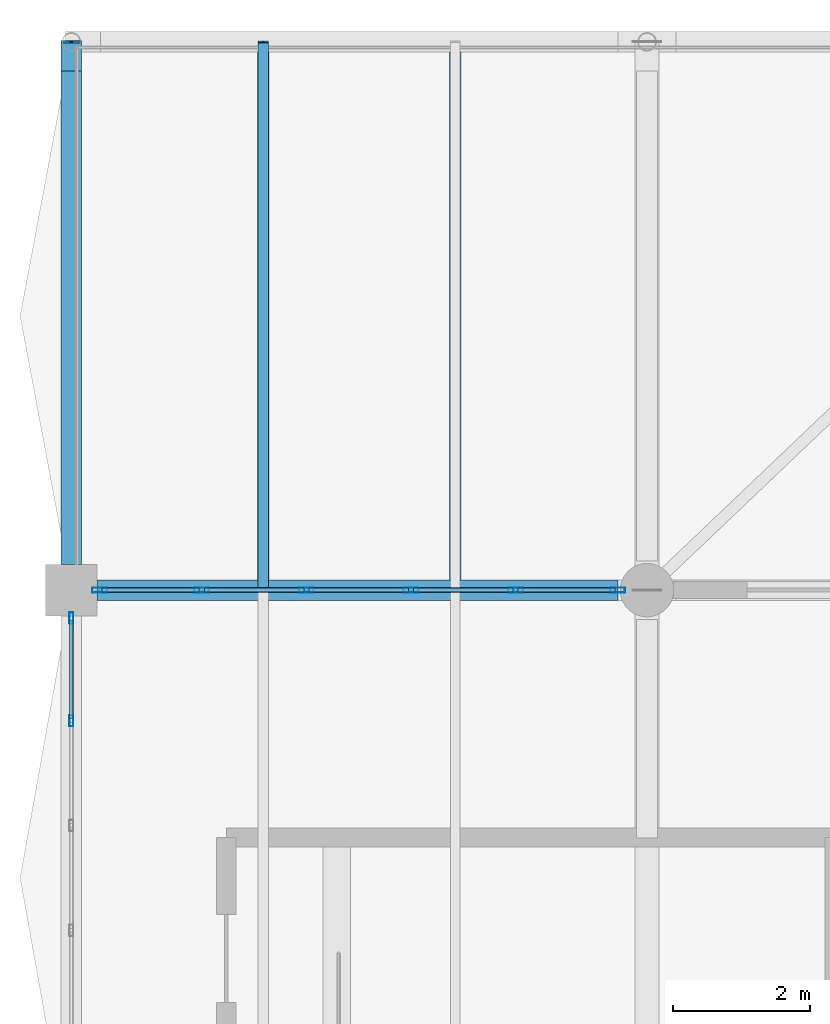
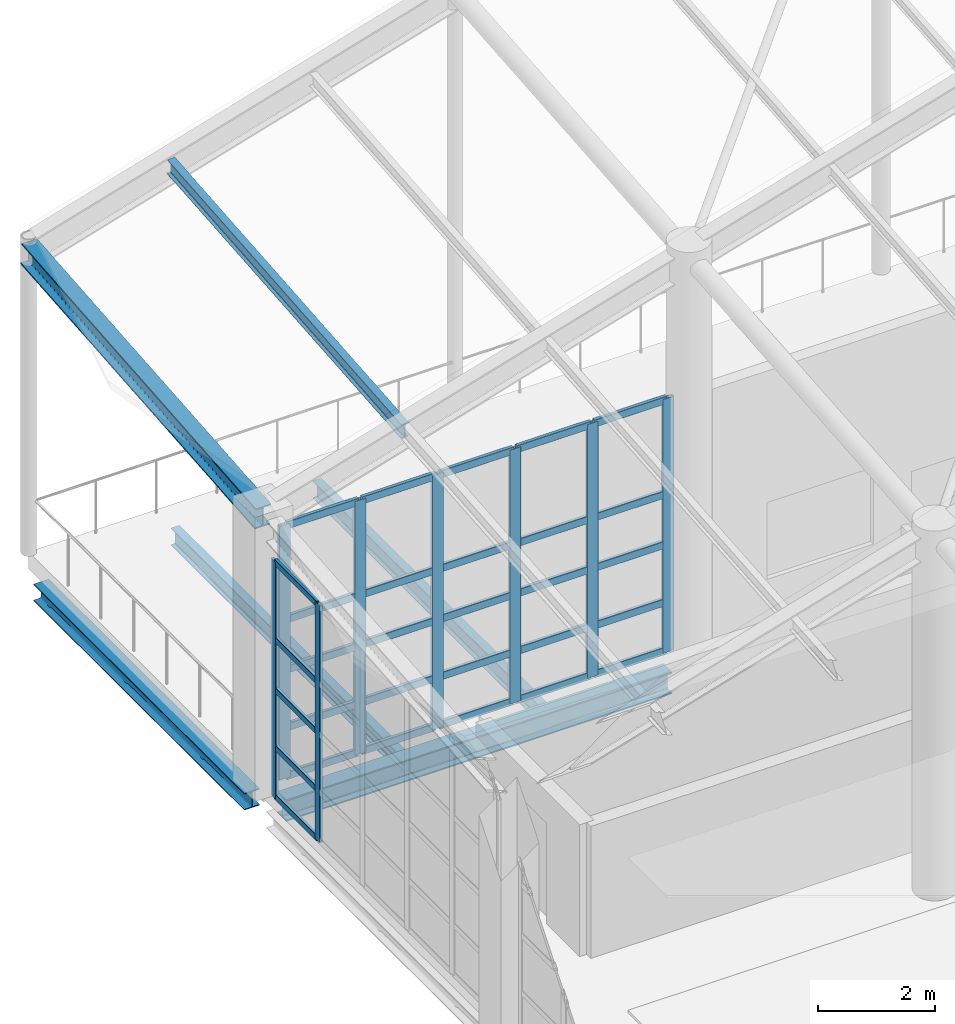
# One storey, part 45 of 95: 40 members, 4 beams, 2 elements without a shape of their own.
"""IFC4 building model written with IfcOpenShell, lengths in metres."""

import ifcopenshell
import ifcopenshell.guid

model = None  # the IFC model being written
_history = None  # IfcOwnerHistory: only IFC2X3 demands one
_inside = {}  # id of a spatial element -> (the spatial element, [elements in it])
_under = {}  # id of a project, library or spatial element -> (it, [spatial elements below it])
_declared = {}  # id of a project -> (the project, [libraries it declares])
_typed = {}  # id of a type object -> (the type object, [elements of that type])
_made_of = {}  # id of a material, layer set ... -> (it, [elements and type objects made of it])


def new_model(schema):
    """Start an empty IFC model of exactly this schema.

    Asked for "IFC4X3", IfcOpenShell would pick the latest addendum, in which some entities
    have other attributes; the version numbers below select the first issue.
    IFC2X3 requires an IfcOwnerHistory on every rooted entity: one is made here for all.
    """
    global model, _history
    if schema == "IFC4X3":
        model = ifcopenshell.file(schema_version=(4, 3, 0, 0))
    else:
        model = ifcopenshell.file(schema=schema)
    _inside.clear()
    _under.clear()
    _declared.clear()
    _typed.clear()
    _made_of.clear()
    _history = None
    if model.schema == "IFC2X3":
        org = make("IfcOrganization", Name="unknown")
        user = make(
            "IfcPersonAndOrganization",
            ThePerson=make("IfcPerson", FamilyName="unknown"),
            TheOrganization=org,
        )
        app = make(
            "IfcApplication",
            ApplicationDeveloper=org,
            Version="unknown",
            ApplicationFullName="unknown",
            ApplicationIdentifier="unknown",
        )
        _history = make(
            "IfcOwnerHistory",
            OwningUser=user,
            OwningApplication=app,
            ChangeAction="ADDED",
            CreationDate=0,
        )
    return model


def make(cls, **values):
    """One entity of the class cls with the attributes given. An attribute that is None is left unset."""
    return model.create_entity(
        cls, **{name: value for name, value in values.items() if value is not None}
    )


def rooted(cls, **values):
    """An entity with a GlobalId (a new one), such as an element, a storey or a relation."""
    return make(cls, GlobalId=ifcopenshell.guid.new(), OwnerHistory=_history, **values)


def si_unit(unit_type, name, prefix=None):
    """IfcSIUnit, for example si_unit("LENGTHUNIT", "METRE", prefix="MILLI")."""
    return make("IfcSIUnit", UnitType=unit_type, Prefix=prefix, Name=name)


def assignment(units):
    """IfcUnitAssignment: the units of a project."""
    return None if units is None else make("IfcUnitAssignment", Units=units)


def point(xyz):
    """IfcCartesianPoint."""
    return None if xyz is None else make("IfcCartesianPoint", Coordinates=xyz)


def direction(xyz):
    """IfcDirection."""
    return None if xyz is None else make("IfcDirection", DirectionRatios=xyz)


def frame(location, z_axis=None, x_axis=None):
    """IfcAxis2Placement3D, a coordinate frame: its origin and axes. An axis left out is left unset."""
    return make(
        "IfcAxis2Placement3D",
        Location=point(location),
        Axis=direction(z_axis),
        RefDirection=direction(x_axis),
    )


def frame_2d(location, x_axis=None):
    """IfcAxis2Placement2D, a coordinate frame in the plane: its origin and x axis."""
    return make(
        "IfcAxis2Placement2D", Location=point(location), RefDirection=direction(x_axis)
    )


def origin():
    """The frame at (0, 0, 0) with its axes left unset."""
    return frame((0.0, 0.0, 0.0))


def origin_2d():
    """The frame at (0, 0) in the plane with its x axis left unset."""
    return frame_2d((0.0, 0.0))


def place(relative_to, where):
    """IfcLocalPlacement: puts the frame where relative to a parent placement (None: the world)."""
    return make(
        "IfcLocalPlacement", PlacementRelTo=relative_to, RelativePlacement=where
    )


def context(
    kind, dimensions, precision=None, world=None, true_north=None, identifier=None
):
    """IfcGeometricRepresentationContext, for example the 3D "Model" context."""
    return make(
        "IfcGeometricRepresentationContext",
        ContextIdentifier=identifier,
        ContextType=kind,
        CoordinateSpaceDimension=dimensions,
        Precision=precision,
        WorldCoordinateSystem=world,
        TrueNorth=true_north,
    )


def subcontext(parent, identifier, kind, view, scale=None):
    """IfcGeometricRepresentationSubContext, for example "Body" below "Model"."""
    return make(
        "IfcGeometricRepresentationSubContext",
        ContextIdentifier=identifier,
        ContextType=kind,
        ParentContext=parent,
        TargetScale=scale,
        TargetView=view,
    )


def project(units=None, contexts=None):
    """IfcProject with its units and contexts."""
    return rooted(
        "IfcProject",
        Name="project",
        RepresentationContexts=contexts,
        UnitsInContext=assignment(units),
    )


def spatial(cls, under=None, at=None, **own):
    """A site, building, storey or space (cls), placed at a placement, below another one or the project."""
    s = rooted(cls, ObjectPlacement=at, **own)
    if under is not None:
        _under.setdefault(under.id(), (under, []))[1].append(s)
    return s


def profile(cls, at=None, kind="AREA", **sizes):
    """A parametric profile (cls). Its sizes go by their IFC names, for example OverallWidth=200.0."""
    return make(cls, ProfileType=kind, Position=at, **sizes)


def hollow_rectangle(**sizes):
    """IfcRectangleHollowProfileDef."""
    return profile("IfcRectangleHollowProfileDef", **sizes)


def i_section(**sizes):
    """IfcIShapeProfileDef."""
    return profile("IfcIShapeProfileDef", **sizes)


def extrude(swept, where, along, depth):
    """IfcExtrudedAreaSolid: the profile swept, set in the frame where, extruded along a direction by depth."""
    return make(
        "IfcExtrudedAreaSolid",
        SweptArea=swept,
        Position=where,
        ExtrudedDirection=direction(along),
        Depth=depth,
    )


def shape(context_of_items, identifier, shape_type, items):
    """IfcShapeRepresentation: the items that make up one representation, for example the "Body"."""
    return make(
        "IfcShapeRepresentation",
        ContextOfItems=context_of_items,
        RepresentationIdentifier=identifier,
        RepresentationType=shape_type,
        Items=items,
    )


def material(Name=None, Category=None):
    """IfcMaterial."""
    return make("IfcMaterial", Name=Name, Category=Category)


def layer(
    of_material, thickness, ventilated=None, Name=None, Category=None, Priority=None
):
    """IfcMaterialLayer: one layer of a wall or slab, of a material (None: an air gap)."""
    return make(
        "IfcMaterialLayer",
        Material=of_material,
        LayerThickness=thickness,
        IsVentilated=ventilated,
        Name=Name,
        Category=Category,
        Priority=Priority,
    )


def layer_set(layers, Name=None):
    """IfcMaterialLayerSet."""
    return make("IfcMaterialLayerSet", MaterialLayers=layers, LayerSetName=Name)


def material_profile(
    of_material, cross_section, Name=None, Category=None, Priority=None
):
    """IfcMaterialProfile: a cross section and its material."""
    return make(
        "IfcMaterialProfile",
        Name=Name,
        Material=of_material,
        Profile=cross_section,
        Priority=Priority,
        Category=Category,
    )


def profile_set(profiles, Name=None, composite=None):
    """IfcMaterialProfileSet."""
    return make(
        "IfcMaterialProfileSet",
        Name=Name,
        MaterialProfiles=profiles,
        CompositeProfile=composite,
    )


def made_of(thing, what):
    """Note that an element or type object is made of a material, layer set ...; save() writes the relation."""
    if what is not None:
        _made_of.setdefault(what.id(), (what, []))[1].append(thing)
    return thing


def type_object(cls, material=None, **own):
    """A type object (cls), such as IfcWallType, which elements share."""
    return made_of(rooted(cls, **own), material)


def element(
    cls,
    number,
    at=None,
    inside=None,
    cuts=None,
    type_object=None,
    material=None,
    context=None,
    identifier="Body",
    shape_type=None,
    held_by="IfcProductDefinitionShape",
    body=None,
    shapes=None,
    **own,
):
    """One element of the class cls, such as IfcWall. Its Tag is "e" and its number.

    at: its placement. inside: the storey or other place that contains it. cuts: it is an
    opening in that element (IfcRelVoidsElement). A single representation is given by context,
    identifier, shape_type and body (its items); several are given by shapes. held_by: the class
    of the entity that holds the representations. save() writes the other relations.
    """
    e = rooted(cls, Tag="e%d" % number, ObjectPlacement=at, **own)
    if body is not None:
        shapes = [shape(context, identifier, shape_type, body)]
    if shapes is not None:
        e.Representation = make(held_by, Representations=shapes)
    if inside is not None:
        _inside.setdefault(inside.id(), (inside, []))[1].append(e)
    if cuts is not None:
        rooted(
            "IfcRelVoidsElement", RelatingBuildingElement=cuts, RelatedOpeningElement=e
        )
    if type_object is not None:
        _typed.setdefault(type_object.id(), (type_object, []))[1].append(e)
    return made_of(e, material)


def aggregate(whole, parts):
    """IfcRelAggregates: a whole, such as a stair, and the parts it consists of."""
    return rooted("IfcRelAggregates", RelatingObject=whole, RelatedObjects=parts)


def save(model, path):
    """Write the relations noted so far, then the file.

    IfcRelAggregates (storeys below a building ...), IfcRelContainedInSpatialStructure (elements
    in a storey), IfcRelDefinesByType, IfcRelAssociatesMaterial and IfcRelDeclares: one each for
    every whole, place, type object, material and project.
    """
    for whole, parts in _under.values():
        aggregate(whole, parts)
    for where, things in _inside.values():
        rooted(
            "IfcRelContainedInSpatialStructure",
            RelatedElements=things,
            RelatingStructure=where,
        )
    for kind, things in _typed.values():
        rooted("IfcRelDefinesByType", RelatedObjects=things, RelatingType=kind)
    for what, things in _made_of.values():
        rooted("IfcRelAssociatesMaterial", RelatedObjects=things, RelatingMaterial=what)
    for by, libraries in _declared.values():
        rooted("IfcRelDeclares", RelatingContext=by, RelatedDefinitions=libraries)
    model.write(path)


model = new_model("IFC4")

# Units and contexts
model_context = context("Model", 3, precision=1e-05, world=origin(), true_north=direction((0.0, 1.0)))
body_context = subcontext(model_context, "Body", "Model", "MODEL_VIEW")
ifc_project = project(units=[si_unit("LENGTHUNIT", "METRE"), si_unit("AREAUNIT", "SQUARE_METRE"), si_unit("VOLUMEUNIT", "CUBIC_METRE"), si_unit("PLANEANGLEUNIT", "RADIAN"), si_unit("MASSUNIT", "GRAM", prefix="KILO"), si_unit("THERMODYNAMICTEMPERATUREUNIT", "KELVIN"), si_unit("POWERUNIT", "WATT")], contexts=[model_context])

# Site, building, storey
site_placement = place(None, origin())
site = spatial("IfcSite", under=ifc_project, at=site_placement, CompositionType="ELEMENT")
building_placement = place(site_placement, origin())
building = spatial("IfcBuilding", under=site, at=building_placement, Name="Mavoryth Pier Ferry Terminal", CompositionType="ELEMENT")
storey_placement = place(building_placement, frame((0.0, 0.0, 9.60009765625)))
storey = spatial("IfcBuildingStorey", under=building, at=storey_placement, Name="L02", CompositionType="ELEMENT", Elevation=9.60009765625)

# Beam
ifc_material_1 = material(Name="Steel S355J2", Category="steel")
ifc_material_profile_1 = material_profile(ifc_material_1, i_section(OverallWidth=0.300048828125, OverallDepth=0.449951171875, WebThickness=0.013916015625, FlangeThickness=0.02587890625, FilletRadius=0.027099609375, at=origin_2d()), Name="HEB 450", Category="steel")
ifc_profile_set_1 = profile_set([ifc_material_profile_1], Name="Steel S355J2 - HEB 450")
beam_type_1 = type_object("IfcBeamType", Name="Beam-Steel-HEB450", PredefinedType="BEAM", material=ifc_profile_set_1)
beam_1_placement = place(storey_placement, frame((0.375, 106.0, -0.585205078125), z_axis=(1.0, 0.0, 0.0), x_axis=(0.0, 1.0, 0.0)))
element("IfcBeam", 1, at=beam_1_placement, inside=storey, type_object=beam_type_1, Name="Beam B02-SB02-0620", PredefinedType="BEAM", context=body_context, shape_type="SweptSolid", body=[
    extrude(i_section(OverallWidth=0.300048828125, OverallDepth=0.449951171875, WebThickness=0.013916015625, FlangeThickness=0.02587890625, FilletRadius=0.027099609375, at=origin_2d()), origin(), (0.0, 0.0, 1.0), 7.60009765625),
])

# Member
ifc_material_profile_2 = material_profile(ifc_material_1, i_section(OverallWidth=0.300048828125, OverallDepth=0.449951171875, WebThickness=0.013916015625, FlangeThickness=0.02587890625, FilletRadius=0.027099609375, at=origin_2d()), Name="HEB 450", Category="steel")
ifc_profile_set_2 = profile_set([ifc_material_profile_2], Name="Steel S355J2 - HEB 450")
member_type_1 = type_object("IfcMemberType", Name="Chord-Eave-HEB450", PredefinedType="CHORD", material=ifc_profile_set_2)
member_1_placement = place(storey_placement, frame((0.0, 106.0, 5.58642578125), z_axis=(0.0, 0.996402543032, 0.084746517561), x_axis=(-1.0, 0.0, 0.0)))
element("IfcMember", 2, at=member_1_placement, inside=storey, type_object=member_type_1, Name="Steel Member MB-L02-0175", PredefinedType="CHORD", context=body_context, shape_type="SweptSolid", body=[
    extrude(i_section(OverallWidth=0.300048828125, OverallDepth=0.449951171875, WebThickness=0.013916015625, FlangeThickness=0.02587890625, FilletRadius=0.027099609375, at=origin_2d()), origin(), (0.0, 0.0, 1.0), 8.02880859375),
])

# Beams
ifc_material_profile_3 = material_profile(ifc_material_1, i_section(OverallWidth=0.169921875, OverallDepth=0.360107421875, WebThickness=0.008056640625, FlangeThickness=0.0126953125, FilletRadius=0.01806640625, at=origin_2d()), Name="IPE 360", Category="steel")
ifc_profile_set_3 = profile_set([ifc_material_profile_3], Name="Steel S355J2 - IPE 360")
beam_type_2 = type_object("IfcBeamType", Name="Joist-Steel-IPE360", PredefinedType="JOIST", material=ifc_profile_set_3)
for number, where, z_axis, x_axis, name in (
    (3, (2.800048828125, 106.14990234375, -0.5400390625), (0.0, 1.0, 0.0), (-1.0, 0.0, 0.0), "Beam B02-SJ02-0659"),
    (4, (5.60009765625, 106.14990234375, -0.5400390625), (0.0, 1.0, 0.0), (-1.0, 0.0, 0.0), "Beam B02-SJ02-0660"),
):
    element("IfcBeam", number, at=place(storey_placement, frame(where, z_axis=z_axis, x_axis=x_axis)), inside=storey, type_object=beam_type_2, Name=name, PredefinedType="JOIST", context=body_context, shape_type="SweptSolid", body=[
        extrude(i_section(OverallWidth=0.169921875, OverallDepth=0.360107421875, WebThickness=0.008056640625, FlangeThickness=0.0126953125, FilletRadius=0.01806640625, at=origin_2d()), origin(), (0.0, 0.0, 1.0), 7.7001953125),
    ])

# Curtain wall, members
ifc_material_2 = material(Name="Anodised Aluminium and Solar-Control Low-E Glass", Category="aluminium")
ifc_layer_1 = layer(ifc_material_2, 0.179931640625, Name="Anodised Aluminium and Solar-Control Low-E Glass", Category="aluminium")
ifc_layer_set_1 = layer_set([ifc_layer_1], Name="Anodised Aluminium and Solar-Control Low-E Glass - CW-Concourse-Mod1400")
curtain_wall_type_1 = type_object("IfcCurtainWallType", Name="CW-Concourse-Mod1400", PredefinedType="USERDEFINED", material=ifc_layer_set_1)
curtain_wall_1_placement = place(storey_placement, origin())
curtain_wall_1 = element("IfcCurtainWall", 5, at=curtain_wall_1_placement, inside=storey, type_object=curtain_wall_type_1, Name="Curtain Wall CW-0222-034", ObjectType="UNITISED CURTAIN WALL", PredefinedType="USERDEFINED")
ifc_material_3 = material(Name="Anodised Aluminium EN AW-6063", Category="aluminium")
ifc_material_profile_4 = material_profile(ifc_material_3, hollow_rectangle(XDim=0.06005859375, YDim=0.1650390625, WallThickness=0.00390625, InnerFilletRadius=0.00390625, OuterFilletRadius=0.008056640625, at=origin_2d()), Name="AL-MULL 165x60x4", Category="aluminium")
ifc_profile_set_4 = profile_set([ifc_material_profile_4], Name="Anodised Aluminium EN AW-6063 - AL-MULL 165x60x4")
member_type_2 = type_object("IfcMemberType", Name="Mullion-Alum-165x60", PredefinedType="MULLION", material=ifc_profile_set_4)
member_2_placement = place(storey_placement, frame((0.0, 105.594970703125, 0.0), z_axis=(0.0, 0.0, 1.0), x_axis=(1.0, 0.0, 0.0)))
member_2 = element("IfcMember", 6, at=member_2_placement, type_object=member_type_2, Name="CW01 mullion 1", PredefinedType="MULLION", context=body_context, shape_type="SweptSolid", body=[
    extrude(hollow_rectangle(XDim=0.06005859375, YDim=0.1650390625, WallThickness=0.00390625, InnerFilletRadius=0.00390625, OuterFilletRadius=0.008056640625, at=origin_2d()), origin(), (0.0, 0.0, 1.0), 4.93603515625),
])
member_3_placement = place(storey_placement, frame((0.0, 104.094970703125, 0.0), z_axis=(0.0, 0.0, 1.0), x_axis=(1.0, 0.0, 0.0)))
member_3 = element("IfcMember", 7, at=member_3_placement, type_object=member_type_2, Name="CW01 mullion 2", PredefinedType="MULLION", context=body_context, shape_type="SweptSolid", body=[
    extrude(hollow_rectangle(XDim=0.06005859375, YDim=0.1650390625, WallThickness=0.00390625, InnerFilletRadius=0.00390625, OuterFilletRadius=0.008056640625, at=origin_2d()), origin(), (0.0, 0.0, 1.0), 4.93603515625),
])

ifc_layer_2 = layer(ifc_material_2, 0.219970703125, Name="Anodised Aluminium and Solar-Control Low-E Glass", Category="aluminium")
ifc_layer_set_2 = layer_set([ifc_layer_2], Name="Anodised Aluminium and Solar-Control Low-E Glass - CW-Seaward-Tall-Mod1400")
curtain_wall_type_2 = type_object("IfcCurtainWallType", Name="CW-Seaward-Tall-Mod1400", PredefinedType="USERDEFINED", material=ifc_layer_set_2)
curtain_wall_2_placement = place(storey_placement, origin())
curtain_wall_2 = element("IfcCurtainWall", 8, at=curtain_wall_2_placement, inside=storey, type_object=curtain_wall_type_2, Name="Curtain Wall CW-0254-037", ObjectType="UNITISED CURTAIN WALL", PredefinedType="USERDEFINED")
ifc_material_profile_5 = material_profile(ifc_material_3, hollow_rectangle(XDim=0.074951171875, YDim=0.219970703125, WallThickness=0.0048828125, InnerFilletRadius=0.0048828125, OuterFilletRadius=0.010009765625, at=origin_2d()), Name="AL-MULL 220x75x5", Category="aluminium")
ifc_profile_set_5 = profile_set([ifc_material_profile_5], Name="Anodised Aluminium EN AW-6063 - AL-MULL 220x75x5")
member_type_3 = type_object("IfcMemberType", Name="Mullion-Alum-220x75", PredefinedType="MULLION", material=ifc_profile_set_5)
member_4_placement = place(storey_placement, frame((7.972412109375, 106.0, 0.0), z_axis=(0.0, 0.0, 1.0), x_axis=(0.0, -1.0, 0.0)))
member_4 = element("IfcMember", 9, at=member_4_placement, type_object=member_type_3, Name="CW03 mullion 1", PredefinedType="MULLION", context=body_context, shape_type="SweptSolid", body=[
    extrude(hollow_rectangle(XDim=0.074951171875, YDim=0.219970703125, WallThickness=0.0048828125, InnerFilletRadius=0.0048828125, OuterFilletRadius=0.010009765625, at=origin_2d()), origin(), (0.0, 0.0, 1.0), 5.293212890625),
])
member_5_placement = place(storey_placement, frame((6.48291015625, 106.0, 0.0), z_axis=(0.0, 0.0, 1.0), x_axis=(0.0, -1.0, 0.0)))
member_5 = element("IfcMember", 10, at=member_5_placement, type_object=member_type_3, Name="CW03 mullion 2", PredefinedType="MULLION", context=body_context, shape_type="SweptSolid", body=[
    extrude(hollow_rectangle(XDim=0.074951171875, YDim=0.219970703125, WallThickness=0.0048828125, InnerFilletRadius=0.0048828125, OuterFilletRadius=0.010009765625, at=origin_2d()), origin(), (0.0, 0.0, 1.0), 5.293212890625),
])
member_6_placement = place(storey_placement, frame((4.9560546875, 106.0, 0.0), z_axis=(0.0, 0.0, 1.0), x_axis=(0.0, -1.0, 0.0)))
member_6 = element("IfcMember", 11, at=member_6_placement, type_object=member_type_3, Name="CW03 mullion 3", PredefinedType="MULLION", context=body_context, shape_type="SweptSolid", body=[
    extrude(hollow_rectangle(XDim=0.074951171875, YDim=0.219970703125, WallThickness=0.0048828125, InnerFilletRadius=0.0048828125, OuterFilletRadius=0.010009765625, at=origin_2d()), origin(), (0.0, 0.0, 1.0), 5.293212890625),
])
member_7_placement = place(storey_placement, frame((3.428955078125, 106.0, 0.0), z_axis=(0.0, 0.0, 1.0), x_axis=(0.0, -1.0, 0.0)))
member_7 = element("IfcMember", 12, at=member_7_placement, type_object=member_type_3, Name="CW03 mullion 4", PredefinedType="MULLION", context=body_context, shape_type="SweptSolid", body=[
    extrude(hollow_rectangle(XDim=0.074951171875, YDim=0.219970703125, WallThickness=0.0048828125, InnerFilletRadius=0.0048828125, OuterFilletRadius=0.010009765625, at=origin_2d()), origin(), (0.0, 0.0, 1.0), 5.293212890625),
])
member_8_placement = place(storey_placement, frame((1.902099609375, 106.0, 0.0), z_axis=(0.0, 0.0, 1.0), x_axis=(0.0, -1.0, 0.0)))
member_8 = element("IfcMember", 13, at=member_8_placement, type_object=member_type_3, Name="CW03 mullion 5", PredefinedType="MULLION", context=body_context, shape_type="SweptSolid", body=[
    extrude(hollow_rectangle(XDim=0.074951171875, YDim=0.219970703125, WallThickness=0.0048828125, InnerFilletRadius=0.0048828125, OuterFilletRadius=0.010009765625, at=origin_2d()), origin(), (0.0, 0.0, 1.0), 5.293212890625),
])
member_9_placement = place(storey_placement, frame((0.41259765625, 106.0, 0.0), z_axis=(0.0, 0.0, 1.0), x_axis=(0.0, -1.0, 0.0)))
member_9 = element("IfcMember", 14, at=member_9_placement, type_object=member_type_3, Name="CW03 mullion 6", PredefinedType="MULLION", context=body_context, shape_type="SweptSolid", body=[
    extrude(hollow_rectangle(XDim=0.074951171875, YDim=0.219970703125, WallThickness=0.0048828125, InnerFilletRadius=0.0048828125, OuterFilletRadius=0.010009765625, at=origin_2d()), origin(), (0.0, 0.0, 1.0), 5.293212890625),
])

# Member
ifc_material_profile_6 = material_profile(ifc_material_1, i_section(OverallWidth=0.14990234375, OverallDepth=0.300048828125, WebThickness=0.007080078125, FlangeThickness=0.0107421875, FilletRadius=0.014892578125, at=origin_2d()), Name="IPE 300", Category="steel")
ifc_profile_set_6 = profile_set([ifc_material_profile_6], Name="Steel S355J2 - IPE 300")
member_type_4 = type_object("IfcMemberType", Name="Purlin-Roof-IPE300", PredefinedType="PURLIN", material=ifc_profile_set_6)
member_10_placement = place(storey_placement, frame((2.800048828125, 106.0, 6.3994140625), z_axis=(0.0, 0.996405110266, 0.08471632804), x_axis=(-1.0, 0.0, 0.0)))
element("IfcMember", 15, at=member_10_placement, inside=storey, type_object=member_type_4, Name="Steel Member MB-L02-0180", PredefinedType="PURLIN", context=body_context, shape_type="SweptSolid", body=[
    extrude(i_section(OverallWidth=0.14990234375, OverallDepth=0.300048828125, WebThickness=0.007080078125, FlangeThickness=0.0107421875, FilletRadius=0.014892578125, at=origin_2d()), origin(), (0.0, 0.0, 1.0), 8.02880859375),
])

# Beam
ifc_material_profile_7 = material_profile(ifc_material_1, i_section(OverallWidth=0.300048828125, OverallDepth=0.35009765625, WebThickness=0.010009765625, FlangeThickness=0.017578125, FilletRadius=0.027099609375, at=origin_2d()), Name="HEA 360", Category="steel")
ifc_profile_set_7 = profile_set([ifc_material_profile_7], Name="Steel S355J2 - HEA 360")
beam_type_3 = type_object("IfcBeamType", Name="Spandrel-Steel-HEA360", PredefinedType="SPANDREL", material=ifc_profile_set_7)
beam_2_placement = place(storey_placement, frame((0.0, 106.375, -0.53515625), z_axis=(0.0, 1.0, 0.0), x_axis=(-1.0, 0.0, 0.0)))
element("IfcBeam", 16, at=beam_2_placement, inside=storey, type_object=beam_type_3, Name="Beam B02-SP03-0632", PredefinedType="SPANDREL", context=body_context, shape_type="SweptSolid", body=[
    extrude(i_section(OverallWidth=0.300048828125, OverallDepth=0.35009765625, WebThickness=0.010009765625, FlangeThickness=0.017578125, FilletRadius=0.027099609375, at=origin_2d()), origin(), (0.0, 0.0, 1.0), 7.199951171875),
])

# Member
ifc_material_profile_8 = material_profile(ifc_material_3, hollow_rectangle(XDim=0.06005859375, YDim=0.125, WallThickness=0.00390625, InnerFilletRadius=0.00390625, OuterFilletRadius=0.008056640625, at=origin_2d()), Name="AL-TRAN 125x60x4", Category="aluminium")
ifc_profile_set_8 = profile_set([ifc_material_profile_8], Name="Anodised Aluminium EN AW-6063 - AL-TRAN 125x60x4")
member_type_5 = type_object("IfcMemberType", Name="Transom-Alum-125x60", PredefinedType="USERDEFINED", material=ifc_profile_set_8)
member_11_placement = place(storey_placement, frame((0.0, 105.56494140625, 0.02978515625), z_axis=(0.0, -1.0, 0.0), x_axis=(1.0, 0.0, 0.0)))
member_11 = element("IfcMember", 17, at=member_11_placement, type_object=member_type_5, Name="CW01 transom 1.1", ObjectType="TRANSOM", PredefinedType="USERDEFINED", context=body_context, shape_type="SweptSolid", body=[
    extrude(hollow_rectangle(XDim=0.06005859375, YDim=0.125, WallThickness=0.00390625, InnerFilletRadius=0.00390625, OuterFilletRadius=0.008056640625, at=origin_2d()), origin(), (0.0, 0.0, 1.0), 1.43994140625),
])

member_12_placement = place(storey_placement, frame((0.0, 105.56494140625, 1.0498046875), z_axis=(0.0, -1.0, 0.0), x_axis=(1.0, 0.0, 0.0)))
member_12 = element("IfcMember", 18, at=member_12_placement, type_object=member_type_5, Name="CW01 transom 1.2", ObjectType="TRANSOM", PredefinedType="USERDEFINED", context=body_context, shape_type="SweptSolid", body=[
    extrude(hollow_rectangle(XDim=0.06005859375, YDim=0.125, WallThickness=0.00390625, InnerFilletRadius=0.00390625, OuterFilletRadius=0.008056640625, at=origin_2d()), origin(), (0.0, 0.0, 1.0), 1.43994140625),
])

member_13_placement = place(storey_placement, frame((0.0, 105.56494140625, 2.25), z_axis=(0.0, -1.0, 0.0), x_axis=(1.0, 0.0, 0.0)))
member_13 = element("IfcMember", 19, at=member_13_placement, type_object=member_type_5, Name="CW01 transom 1.3", ObjectType="TRANSOM", PredefinedType="USERDEFINED", context=body_context, shape_type="SweptSolid", body=[
    extrude(hollow_rectangle(XDim=0.06005859375, YDim=0.125, WallThickness=0.00390625, InnerFilletRadius=0.00390625, OuterFilletRadius=0.008056640625, at=origin_2d()), origin(), (0.0, 0.0, 1.0), 1.43994140625),
])

member_14_placement = place(storey_placement, frame((0.0, 105.56494140625, 3.2998046875), z_axis=(0.0, -1.0, 0.0), x_axis=(1.0, 0.0, 0.0)))
member_14 = element("IfcMember", 20, at=member_14_placement, type_object=member_type_5, Name="CW01 transom 1.4", ObjectType="TRANSOM", PredefinedType="USERDEFINED", context=body_context, shape_type="SweptSolid", body=[
    extrude(hollow_rectangle(XDim=0.06005859375, YDim=0.125, WallThickness=0.00390625, InnerFilletRadius=0.00390625, OuterFilletRadius=0.008056640625, at=origin_2d()), origin(), (0.0, 0.0, 1.0), 1.43994140625),
])

member_15_placement = place(storey_placement, frame((0.0, 105.56494140625, 4.906005859375), z_axis=(0.0, -1.0, 0.0), x_axis=(1.0, 0.0, 0.0)))
member_15 = element("IfcMember", 21, at=member_15_placement, type_object=member_type_5, Name="CW01 transom 1.5", ObjectType="TRANSOM", PredefinedType="USERDEFINED", context=body_context, shape_type="SweptSolid", body=[
    extrude(hollow_rectangle(XDim=0.06005859375, YDim=0.125, WallThickness=0.00390625, InnerFilletRadius=0.00390625, OuterFilletRadius=0.008056640625, at=origin_2d()), origin(), (0.0, 0.0, 1.0), 1.43994140625),
])

aggregate(curtain_wall_1, [member_2, member_3, member_11, member_12, member_13, member_14, member_15])

ifc_material_profile_9 = material_profile(ifc_material_3, hollow_rectangle(XDim=0.070068359375, YDim=0.155029296875, WallThickness=0.00390625, InnerFilletRadius=0.00390625, OuterFilletRadius=0.008056640625, at=origin_2d()), Name="AL-TRAN 155x70x4", Category="aluminium")
ifc_profile_set_9 = profile_set([ifc_material_profile_9], Name="Anodised Aluminium EN AW-6063 - AL-TRAN 155x70x4")
member_type_6 = type_object("IfcMemberType", Name="Transom-Alum-155x70", PredefinedType="USERDEFINED", material=ifc_profile_set_9)
member_16_placement = place(storey_placement, frame((7.93505859375, 106.0, 0.034912109375), z_axis=(-1.0, 0.0, 0.0), x_axis=(0.0, -1.0, 0.0)))
member_16 = element("IfcMember", 22, at=member_16_placement, type_object=member_type_6, Name="CW03 transom 1.1", ObjectType="TRANSOM", PredefinedType="USERDEFINED", context=body_context, shape_type="SweptSolid", body=[
    extrude(hollow_rectangle(XDim=0.070068359375, YDim=0.155029296875, WallThickness=0.00390625, InnerFilletRadius=0.00390625, OuterFilletRadius=0.008056640625, at=origin_2d()), origin(), (0.0, 0.0, 1.0), 1.41455078125),
])

member_17_placement = place(storey_placement, frame((7.93505859375, 106.0, 1.0498046875), z_axis=(-1.0, 0.0, 0.0), x_axis=(0.0, -1.0, 0.0)))
member_17 = element("IfcMember", 23, at=member_17_placement, type_object=member_type_6, Name="CW03 transom 1.2", ObjectType="TRANSOM", PredefinedType="USERDEFINED", context=body_context, shape_type="SweptSolid", body=[
    extrude(hollow_rectangle(XDim=0.070068359375, YDim=0.155029296875, WallThickness=0.00390625, InnerFilletRadius=0.00390625, OuterFilletRadius=0.008056640625, at=origin_2d()), origin(), (0.0, 0.0, 1.0), 1.41455078125),
])

member_18_placement = place(storey_placement, frame((7.93505859375, 106.0, 2.25), z_axis=(-1.0, 0.0, 0.0), x_axis=(0.0, -1.0, 0.0)))
member_18 = element("IfcMember", 24, at=member_18_placement, type_object=member_type_6, Name="CW03 transom 1.3", ObjectType="TRANSOM", PredefinedType="USERDEFINED", context=body_context, shape_type="SweptSolid", body=[
    extrude(hollow_rectangle(XDim=0.070068359375, YDim=0.155029296875, WallThickness=0.00390625, InnerFilletRadius=0.00390625, OuterFilletRadius=0.008056640625, at=origin_2d()), origin(), (0.0, 0.0, 1.0), 1.41455078125),
])

member_19_placement = place(storey_placement, frame((7.93505859375, 106.0, 3.2998046875), z_axis=(-1.0, 0.0, 0.0), x_axis=(0.0, -1.0, 0.0)))
member_19 = element("IfcMember", 25, at=member_19_placement, type_object=member_type_6, Name="CW03 transom 1.4", ObjectType="TRANSOM", PredefinedType="USERDEFINED", context=body_context, shape_type="SweptSolid", body=[
    extrude(hollow_rectangle(XDim=0.070068359375, YDim=0.155029296875, WallThickness=0.00390625, InnerFilletRadius=0.00390625, OuterFilletRadius=0.008056640625, at=origin_2d()), origin(), (0.0, 0.0, 1.0), 1.41455078125),
])

member_20_placement = place(storey_placement, frame((7.93505859375, 106.0, 5.25830078125), z_axis=(-1.0, 0.0, 0.0), x_axis=(0.0, -1.0, 0.0)))
member_20 = element("IfcMember", 26, at=member_20_placement, type_object=member_type_6, Name="CW03 transom 1.5", ObjectType="TRANSOM", PredefinedType="USERDEFINED", context=body_context, shape_type="SweptSolid", body=[
    extrude(hollow_rectangle(XDim=0.070068359375, YDim=0.155029296875, WallThickness=0.00390625, InnerFilletRadius=0.00390625, OuterFilletRadius=0.008056640625, at=origin_2d()), origin(), (0.0, 0.0, 1.0), 1.41455078125),
])

member_21_placement = place(storey_placement, frame((6.445556640625, 106.0, 0.034912109375), z_axis=(-1.0, 0.0, 0.0), x_axis=(0.0, -1.0, 0.0)))
member_21 = element("IfcMember", 27, at=member_21_placement, type_object=member_type_6, Name="CW03 transom 2.1", ObjectType="TRANSOM", PredefinedType="USERDEFINED", context=body_context, shape_type="SweptSolid", body=[
    extrude(hollow_rectangle(XDim=0.070068359375, YDim=0.155029296875, WallThickness=0.00390625, InnerFilletRadius=0.00390625, OuterFilletRadius=0.008056640625, at=origin_2d()), origin(), (0.0, 0.0, 1.0), 1.4521484375),
])

member_22_placement = place(storey_placement, frame((6.445556640625, 106.0, 1.0498046875), z_axis=(-1.0, 0.0, 0.0), x_axis=(0.0, -1.0, 0.0)))
member_22 = element("IfcMember", 28, at=member_22_placement, type_object=member_type_6, Name="CW03 transom 2.2", ObjectType="TRANSOM", PredefinedType="USERDEFINED", context=body_context, shape_type="SweptSolid", body=[
    extrude(hollow_rectangle(XDim=0.070068359375, YDim=0.155029296875, WallThickness=0.00390625, InnerFilletRadius=0.00390625, OuterFilletRadius=0.008056640625, at=origin_2d()), origin(), (0.0, 0.0, 1.0), 1.4521484375),
])

member_23_placement = place(storey_placement, frame((6.445556640625, 106.0, 2.25), z_axis=(-1.0, 0.0, 0.0), x_axis=(0.0, -1.0, 0.0)))
member_23 = element("IfcMember", 29, at=member_23_placement, type_object=member_type_6, Name="CW03 transom 2.3", ObjectType="TRANSOM", PredefinedType="USERDEFINED", context=body_context, shape_type="SweptSolid", body=[
    extrude(hollow_rectangle(XDim=0.070068359375, YDim=0.155029296875, WallThickness=0.00390625, InnerFilletRadius=0.00390625, OuterFilletRadius=0.008056640625, at=origin_2d()), origin(), (0.0, 0.0, 1.0), 1.4521484375),
])

member_24_placement = place(storey_placement, frame((6.445556640625, 106.0, 3.2998046875), z_axis=(-1.0, 0.0, 0.0), x_axis=(0.0, -1.0, 0.0)))
member_24 = element("IfcMember", 30, at=member_24_placement, type_object=member_type_6, Name="CW03 transom 2.4", ObjectType="TRANSOM", PredefinedType="USERDEFINED", context=body_context, shape_type="SweptSolid", body=[
    extrude(hollow_rectangle(XDim=0.070068359375, YDim=0.155029296875, WallThickness=0.00390625, InnerFilletRadius=0.00390625, OuterFilletRadius=0.008056640625, at=origin_2d()), origin(), (0.0, 0.0, 1.0), 1.4521484375),
])

member_25_placement = place(storey_placement, frame((6.445556640625, 106.0, 5.25830078125), z_axis=(-1.0, 0.0, 0.0), x_axis=(0.0, -1.0, 0.0)))
member_25 = element("IfcMember", 31, at=member_25_placement, type_object=member_type_6, Name="CW03 transom 2.5", ObjectType="TRANSOM", PredefinedType="USERDEFINED", context=body_context, shape_type="SweptSolid", body=[
    extrude(hollow_rectangle(XDim=0.070068359375, YDim=0.155029296875, WallThickness=0.00390625, InnerFilletRadius=0.00390625, OuterFilletRadius=0.008056640625, at=origin_2d()), origin(), (0.0, 0.0, 1.0), 1.4521484375),
])

member_26_placement = place(storey_placement, frame((4.91845703125, 106.0, 0.034912109375), z_axis=(-1.0, 0.0, 0.0), x_axis=(0.0, -1.0, 0.0)))
member_26 = element("IfcMember", 32, at=member_26_placement, type_object=member_type_6, Name="CW03 transom 3.1", ObjectType="TRANSOM", PredefinedType="USERDEFINED", context=body_context, shape_type="SweptSolid", body=[
    extrude(hollow_rectangle(XDim=0.070068359375, YDim=0.155029296875, WallThickness=0.00390625, InnerFilletRadius=0.00390625, OuterFilletRadius=0.008056640625, at=origin_2d()), origin(), (0.0, 0.0, 1.0), 1.451904296875),
])

member_27_placement = place(storey_placement, frame((4.91845703125, 106.0, 1.0498046875), z_axis=(-1.0, 0.0, 0.0), x_axis=(0.0, -1.0, 0.0)))
member_27 = element("IfcMember", 33, at=member_27_placement, type_object=member_type_6, Name="CW03 transom 3.2", ObjectType="TRANSOM", PredefinedType="USERDEFINED", context=body_context, shape_type="SweptSolid", body=[
    extrude(hollow_rectangle(XDim=0.070068359375, YDim=0.155029296875, WallThickness=0.00390625, InnerFilletRadius=0.00390625, OuterFilletRadius=0.008056640625, at=origin_2d()), origin(), (0.0, 0.0, 1.0), 1.451904296875),
])

member_28_placement = place(storey_placement, frame((4.91845703125, 106.0, 2.25), z_axis=(-1.0, 0.0, 0.0), x_axis=(0.0, -1.0, 0.0)))
member_28 = element("IfcMember", 34, at=member_28_placement, type_object=member_type_6, Name="CW03 transom 3.3", ObjectType="TRANSOM", PredefinedType="USERDEFINED", context=body_context, shape_type="SweptSolid", body=[
    extrude(hollow_rectangle(XDim=0.070068359375, YDim=0.155029296875, WallThickness=0.00390625, InnerFilletRadius=0.00390625, OuterFilletRadius=0.008056640625, at=origin_2d()), origin(), (0.0, 0.0, 1.0), 1.451904296875),
])

member_29_placement = place(storey_placement, frame((4.91845703125, 106.0, 3.2998046875), z_axis=(-1.0, 0.0, 0.0), x_axis=(0.0, -1.0, 0.0)))
member_29 = element("IfcMember", 35, at=member_29_placement, type_object=member_type_6, Name="CW03 transom 3.4", ObjectType="TRANSOM", PredefinedType="USERDEFINED", context=body_context, shape_type="SweptSolid", body=[
    extrude(hollow_rectangle(XDim=0.070068359375, YDim=0.155029296875, WallThickness=0.00390625, InnerFilletRadius=0.00390625, OuterFilletRadius=0.008056640625, at=origin_2d()), origin(), (0.0, 0.0, 1.0), 1.451904296875),
])

member_30_placement = place(storey_placement, frame((4.91845703125, 106.0, 5.25830078125), z_axis=(-1.0, 0.0, 0.0), x_axis=(0.0, -1.0, 0.0)))
member_30 = element("IfcMember", 36, at=member_30_placement, type_object=member_type_6, Name="CW03 transom 3.5", ObjectType="TRANSOM", PredefinedType="USERDEFINED", context=body_context, shape_type="SweptSolid", body=[
    extrude(hollow_rectangle(XDim=0.070068359375, YDim=0.155029296875, WallThickness=0.00390625, InnerFilletRadius=0.00390625, OuterFilletRadius=0.008056640625, at=origin_2d()), origin(), (0.0, 0.0, 1.0), 1.451904296875),
])

member_31_placement = place(storey_placement, frame((3.3916015625, 106.0, 0.034912109375), z_axis=(-1.0, 0.0, 0.0), x_axis=(0.0, -1.0, 0.0)))
member_31 = element("IfcMember", 37, at=member_31_placement, type_object=member_type_6, Name="CW03 transom 4.1", ObjectType="TRANSOM", PredefinedType="USERDEFINED", context=body_context, shape_type="SweptSolid", body=[
    extrude(hollow_rectangle(XDim=0.070068359375, YDim=0.155029296875, WallThickness=0.00390625, InnerFilletRadius=0.00390625, OuterFilletRadius=0.008056640625, at=origin_2d()), origin(), (0.0, 0.0, 1.0), 1.4521484375),
])

member_32_placement = place(storey_placement, frame((3.3916015625, 106.0, 1.0498046875), z_axis=(-1.0, 0.0, 0.0), x_axis=(0.0, -1.0, 0.0)))
member_32 = element("IfcMember", 38, at=member_32_placement, type_object=member_type_6, Name="CW03 transom 4.2", ObjectType="TRANSOM", PredefinedType="USERDEFINED", context=body_context, shape_type="SweptSolid", body=[
    extrude(hollow_rectangle(XDim=0.070068359375, YDim=0.155029296875, WallThickness=0.00390625, InnerFilletRadius=0.00390625, OuterFilletRadius=0.008056640625, at=origin_2d()), origin(), (0.0, 0.0, 1.0), 1.4521484375),
])

member_33_placement = place(storey_placement, frame((3.3916015625, 106.0, 2.25), z_axis=(-1.0, 0.0, 0.0), x_axis=(0.0, -1.0, 0.0)))
member_33 = element("IfcMember", 39, at=member_33_placement, type_object=member_type_6, Name="CW03 transom 4.3", ObjectType="TRANSOM", PredefinedType="USERDEFINED", context=body_context, shape_type="SweptSolid", body=[
    extrude(hollow_rectangle(XDim=0.070068359375, YDim=0.155029296875, WallThickness=0.00390625, InnerFilletRadius=0.00390625, OuterFilletRadius=0.008056640625, at=origin_2d()), origin(), (0.0, 0.0, 1.0), 1.4521484375),
])

member_34_placement = place(storey_placement, frame((3.3916015625, 106.0, 3.2998046875), z_axis=(-1.0, 0.0, 0.0), x_axis=(0.0, -1.0, 0.0)))
member_34 = element("IfcMember", 40, at=member_34_placement, type_object=member_type_6, Name="CW03 transom 4.4", ObjectType="TRANSOM", PredefinedType="USERDEFINED", context=body_context, shape_type="SweptSolid", body=[
    extrude(hollow_rectangle(XDim=0.070068359375, YDim=0.155029296875, WallThickness=0.00390625, InnerFilletRadius=0.00390625, OuterFilletRadius=0.008056640625, at=origin_2d()), origin(), (0.0, 0.0, 1.0), 1.4521484375),
])

member_35_placement = place(storey_placement, frame((3.3916015625, 106.0, 5.25830078125), z_axis=(-1.0, 0.0, 0.0), x_axis=(0.0, -1.0, 0.0)))
member_35 = element("IfcMember", 41, at=member_35_placement, type_object=member_type_6, Name="CW03 transom 4.5", ObjectType="TRANSOM", PredefinedType="USERDEFINED", context=body_context, shape_type="SweptSolid", body=[
    extrude(hollow_rectangle(XDim=0.070068359375, YDim=0.155029296875, WallThickness=0.00390625, InnerFilletRadius=0.00390625, OuterFilletRadius=0.008056640625, at=origin_2d()), origin(), (0.0, 0.0, 1.0), 1.4521484375),
])

member_36_placement = place(storey_placement, frame((1.864501953125, 106.0, 0.034912109375), z_axis=(-1.0, 0.0, 0.0), x_axis=(0.0, -1.0, 0.0)))
member_36 = element("IfcMember", 42, at=member_36_placement, type_object=member_type_6, Name="CW03 transom 5.1", ObjectType="TRANSOM", PredefinedType="USERDEFINED", context=body_context, shape_type="SweptSolid", body=[
    extrude(hollow_rectangle(XDim=0.070068359375, YDim=0.155029296875, WallThickness=0.00390625, InnerFilletRadius=0.00390625, OuterFilletRadius=0.008056640625, at=origin_2d()), origin(), (0.0, 0.0, 1.0), 1.41455078125),
])

member_37_placement = place(storey_placement, frame((1.864501953125, 106.0, 1.0498046875), z_axis=(-1.0, 0.0, 0.0), x_axis=(0.0, -1.0, 0.0)))
member_37 = element("IfcMember", 43, at=member_37_placement, type_object=member_type_6, Name="CW03 transom 5.2", ObjectType="TRANSOM", PredefinedType="USERDEFINED", context=body_context, shape_type="SweptSolid", body=[
    extrude(hollow_rectangle(XDim=0.070068359375, YDim=0.155029296875, WallThickness=0.00390625, InnerFilletRadius=0.00390625, OuterFilletRadius=0.008056640625, at=origin_2d()), origin(), (0.0, 0.0, 1.0), 1.41455078125),
])

member_38_placement = place(storey_placement, frame((1.864501953125, 106.0, 2.25), z_axis=(-1.0, 0.0, 0.0), x_axis=(0.0, -1.0, 0.0)))
member_38 = element("IfcMember", 44, at=member_38_placement, type_object=member_type_6, Name="CW03 transom 5.3", ObjectType="TRANSOM", PredefinedType="USERDEFINED", context=body_context, shape_type="SweptSolid", body=[
    extrude(hollow_rectangle(XDim=0.070068359375, YDim=0.155029296875, WallThickness=0.00390625, InnerFilletRadius=0.00390625, OuterFilletRadius=0.008056640625, at=origin_2d()), origin(), (0.0, 0.0, 1.0), 1.41455078125),
])

member_39_placement = place(storey_placement, frame((1.864501953125, 106.0, 3.2998046875), z_axis=(-1.0, 0.0, 0.0), x_axis=(0.0, -1.0, 0.0)))
member_39 = element("IfcMember", 45, at=member_39_placement, type_object=member_type_6, Name="CW03 transom 5.4", ObjectType="TRANSOM", PredefinedType="USERDEFINED", context=body_context, shape_type="SweptSolid", body=[
    extrude(hollow_rectangle(XDim=0.070068359375, YDim=0.155029296875, WallThickness=0.00390625, InnerFilletRadius=0.00390625, OuterFilletRadius=0.008056640625, at=origin_2d()), origin(), (0.0, 0.0, 1.0), 1.41455078125),
])

member_40_placement = place(storey_placement, frame((1.864501953125, 106.0, 5.25830078125), z_axis=(-1.0, 0.0, 0.0), x_axis=(0.0, -1.0, 0.0)))
member_40 = element("IfcMember", 46, at=member_40_placement, type_object=member_type_6, Name="CW03 transom 5.5", ObjectType="TRANSOM", PredefinedType="USERDEFINED", context=body_context, shape_type="SweptSolid", body=[
    extrude(hollow_rectangle(XDim=0.070068359375, YDim=0.155029296875, WallThickness=0.00390625, InnerFilletRadius=0.00390625, OuterFilletRadius=0.008056640625, at=origin_2d()), origin(), (0.0, 0.0, 1.0), 1.41455078125),
])

aggregate(curtain_wall_2, [member_4, member_5, member_6, member_7, member_8, member_9, member_16, member_17, member_18, member_19, member_20, member_21, member_22, member_23, member_24, member_25, member_26, member_27, member_28, member_29, member_30, member_31, member_32, member_33, member_34, member_35, member_36, member_37, member_38, member_39, member_40])

save(model, "model.ifc")
